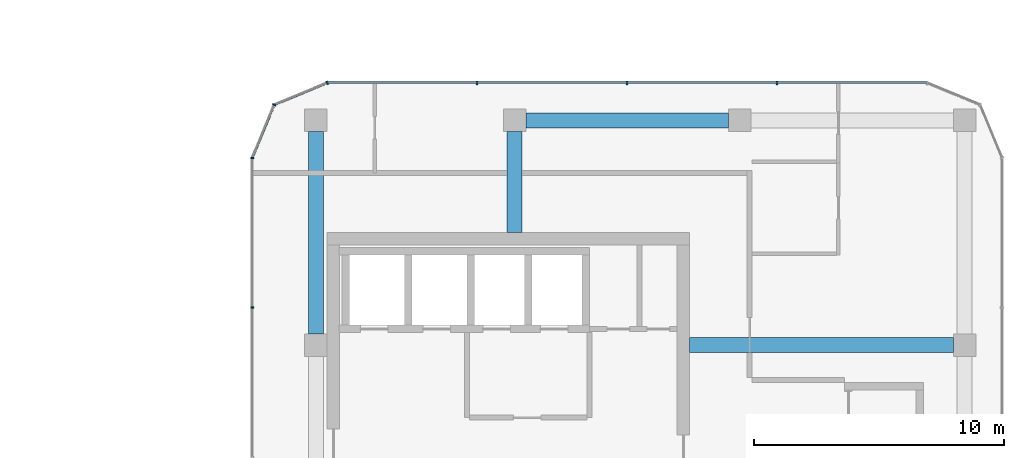
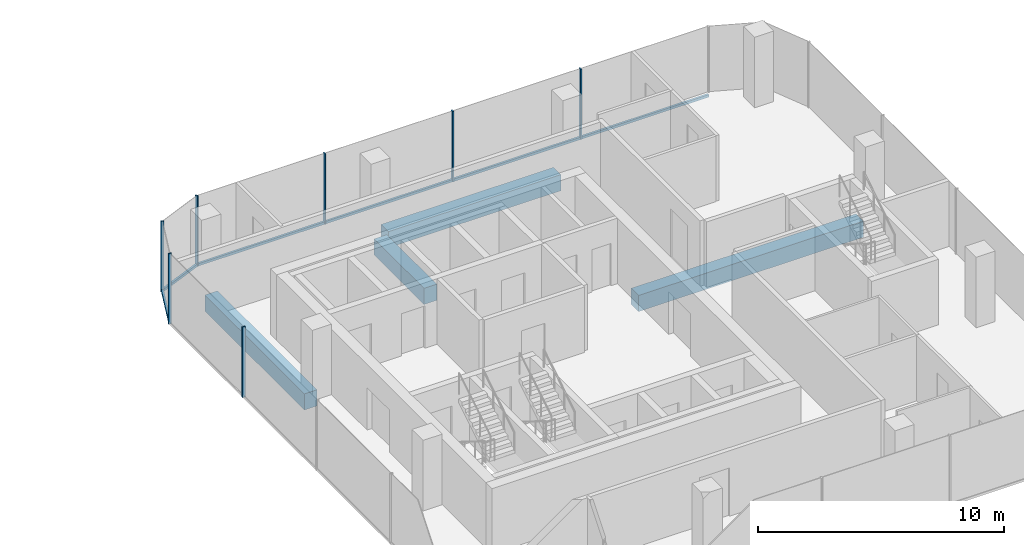
# One storey, part 9 of 22: 10 members, 4 beams, 4 elements without a shape of their own.
"""IFC4 building model written with IfcOpenShell, lengths in metres."""

import ifcopenshell
import ifcopenshell.guid

model = None  # the IFC model being written
_history = None  # IfcOwnerHistory: only IFC2X3 demands one
_inside = {}  # id of a spatial element -> (the spatial element, [elements in it])
_under = {}  # id of a project, library or spatial element -> (it, [spatial elements below it])
_declared = {}  # id of a project -> (the project, [libraries it declares])
_typed = {}  # id of a type object -> (the type object, [elements of that type])
_made_of = {}  # id of a material, layer set ... -> (it, [elements and type objects made of it])


def new_model(schema):
    """Start an empty IFC model of exactly this schema.

    Asked for "IFC4X3", IfcOpenShell would pick the latest addendum, in which some entities
    have other attributes; the version numbers below select the first issue.
    IFC2X3 requires an IfcOwnerHistory on every rooted entity: one is made here for all.
    """
    global model, _history
    if schema == "IFC4X3":
        model = ifcopenshell.file(schema_version=(4, 3, 0, 0))
    else:
        model = ifcopenshell.file(schema=schema)
    _inside.clear()
    _under.clear()
    _declared.clear()
    _typed.clear()
    _made_of.clear()
    _history = None
    if model.schema == "IFC2X3":
        org = make("IfcOrganization", Name="unknown")
        user = make(
            "IfcPersonAndOrganization",
            ThePerson=make("IfcPerson", FamilyName="unknown"),
            TheOrganization=org,
        )
        app = make(
            "IfcApplication",
            ApplicationDeveloper=org,
            Version="unknown",
            ApplicationFullName="unknown",
            ApplicationIdentifier="unknown",
        )
        _history = make(
            "IfcOwnerHistory",
            OwningUser=user,
            OwningApplication=app,
            ChangeAction="ADDED",
            CreationDate=0,
        )
    return model


def make(cls, **values):
    """One entity of the class cls with the attributes given. An attribute that is None is left unset."""
    return model.create_entity(
        cls, **{name: value for name, value in values.items() if value is not None}
    )


def rooted(cls, **values):
    """An entity with a GlobalId (a new one), such as an element, a storey or a relation."""
    return make(cls, GlobalId=ifcopenshell.guid.new(), OwnerHistory=_history, **values)


def si_unit(unit_type, name, prefix=None):
    """IfcSIUnit, for example si_unit("LENGTHUNIT", "METRE", prefix="MILLI")."""
    return make("IfcSIUnit", UnitType=unit_type, Prefix=prefix, Name=name)


def assignment(units):
    """IfcUnitAssignment: the units of a project."""
    return None if units is None else make("IfcUnitAssignment", Units=units)


def point(xyz):
    """IfcCartesianPoint."""
    return None if xyz is None else make("IfcCartesianPoint", Coordinates=xyz)


def direction(xyz):
    """IfcDirection."""
    return None if xyz is None else make("IfcDirection", DirectionRatios=xyz)


def frame(location, z_axis=None, x_axis=None):
    """IfcAxis2Placement3D, a coordinate frame: its origin and axes. An axis left out is left unset."""
    return make(
        "IfcAxis2Placement3D",
        Location=point(location),
        Axis=direction(z_axis),
        RefDirection=direction(x_axis),
    )


def frame_2d(location, x_axis=None):
    """IfcAxis2Placement2D, a coordinate frame in the plane: its origin and x axis."""
    return make(
        "IfcAxis2Placement2D", Location=point(location), RefDirection=direction(x_axis)
    )


def origin():
    """The frame at (0, 0, 0) with its axes left unset."""
    return frame((0.0, 0.0, 0.0))


def origin_2d():
    """The frame at (0, 0) in the plane with its x axis left unset."""
    return frame_2d((0.0, 0.0))


def place(relative_to, where):
    """IfcLocalPlacement: puts the frame where relative to a parent placement (None: the world)."""
    return make(
        "IfcLocalPlacement", PlacementRelTo=relative_to, RelativePlacement=where
    )


def context(
    kind, dimensions, precision=None, world=None, true_north=None, identifier=None
):
    """IfcGeometricRepresentationContext, for example the 3D "Model" context."""
    return make(
        "IfcGeometricRepresentationContext",
        ContextIdentifier=identifier,
        ContextType=kind,
        CoordinateSpaceDimension=dimensions,
        Precision=precision,
        WorldCoordinateSystem=world,
        TrueNorth=true_north,
    )


def subcontext(parent, identifier, kind, view, scale=None):
    """IfcGeometricRepresentationSubContext, for example "Body" below "Model"."""
    return make(
        "IfcGeometricRepresentationSubContext",
        ContextIdentifier=identifier,
        ContextType=kind,
        ParentContext=parent,
        TargetScale=scale,
        TargetView=view,
    )


def project(units=None, contexts=None):
    """IfcProject with its units and contexts."""
    return rooted(
        "IfcProject",
        Name="project",
        RepresentationContexts=contexts,
        UnitsInContext=assignment(units),
    )


def spatial(cls, under=None, at=None, **own):
    """A site, building, storey or space (cls), placed at a placement, below another one or the project."""
    s = rooted(cls, ObjectPlacement=at, **own)
    if under is not None:
        _under.setdefault(under.id(), (under, []))[1].append(s)
    return s


def profile(cls, at=None, kind="AREA", **sizes):
    """A parametric profile (cls). Its sizes go by their IFC names, for example OverallWidth=200.0."""
    return make(cls, ProfileType=kind, Position=at, **sizes)


def rectangle(**sizes):
    """IfcRectangleProfileDef."""
    return profile("IfcRectangleProfileDef", **sizes)


def extrude(swept, where, along, depth):
    """IfcExtrudedAreaSolid: the profile swept, set in the frame where, extruded along a direction by depth."""
    return make(
        "IfcExtrudedAreaSolid",
        SweptArea=swept,
        Position=where,
        ExtrudedDirection=direction(along),
        Depth=depth,
    )


def shape(context_of_items, identifier, shape_type, items):
    """IfcShapeRepresentation: the items that make up one representation, for example the "Body"."""
    return make(
        "IfcShapeRepresentation",
        ContextOfItems=context_of_items,
        RepresentationIdentifier=identifier,
        RepresentationType=shape_type,
        Items=items,
    )


def material(Name=None, Category=None):
    """IfcMaterial."""
    return make("IfcMaterial", Name=Name, Category=Category)


def layer(
    of_material, thickness, ventilated=None, Name=None, Category=None, Priority=None
):
    """IfcMaterialLayer: one layer of a wall or slab, of a material (None: an air gap)."""
    return make(
        "IfcMaterialLayer",
        Material=of_material,
        LayerThickness=thickness,
        IsVentilated=ventilated,
        Name=Name,
        Category=Category,
        Priority=Priority,
    )


def layer_set(layers, Name=None):
    """IfcMaterialLayerSet."""
    return make("IfcMaterialLayerSet", MaterialLayers=layers, LayerSetName=Name)


def material_profile(
    of_material, cross_section, Name=None, Category=None, Priority=None
):
    """IfcMaterialProfile: a cross section and its material."""
    return make(
        "IfcMaterialProfile",
        Name=Name,
        Material=of_material,
        Profile=cross_section,
        Priority=Priority,
        Category=Category,
    )


def profile_set(profiles, Name=None, composite=None):
    """IfcMaterialProfileSet."""
    return make(
        "IfcMaterialProfileSet",
        Name=Name,
        MaterialProfiles=profiles,
        CompositeProfile=composite,
    )


def made_of(thing, what):
    """Note that an element or type object is made of a material, layer set ...; save() writes the relation."""
    if what is not None:
        _made_of.setdefault(what.id(), (what, []))[1].append(thing)
    return thing


def type_object(cls, material=None, **own):
    """A type object (cls), such as IfcWallType, which elements share."""
    return made_of(rooted(cls, **own), material)


def element(
    cls,
    number,
    at=None,
    inside=None,
    cuts=None,
    type_object=None,
    material=None,
    context=None,
    identifier="Body",
    shape_type=None,
    held_by="IfcProductDefinitionShape",
    body=None,
    shapes=None,
    **own,
):
    """One element of the class cls, such as IfcWall. Its Tag is "e" and its number.

    at: its placement. inside: the storey or other place that contains it. cuts: it is an
    opening in that element (IfcRelVoidsElement). A single representation is given by context,
    identifier, shape_type and body (its items); several are given by shapes. held_by: the class
    of the entity that holds the representations. save() writes the other relations.
    """
    e = rooted(cls, Tag="e%d" % number, ObjectPlacement=at, **own)
    if body is not None:
        shapes = [shape(context, identifier, shape_type, body)]
    if shapes is not None:
        e.Representation = make(held_by, Representations=shapes)
    if inside is not None:
        _inside.setdefault(inside.id(), (inside, []))[1].append(e)
    if cuts is not None:
        rooted(
            "IfcRelVoidsElement", RelatingBuildingElement=cuts, RelatedOpeningElement=e
        )
    if type_object is not None:
        _typed.setdefault(type_object.id(), (type_object, []))[1].append(e)
    return made_of(e, material)


def aggregate(whole, parts):
    """IfcRelAggregates: a whole, such as a stair, and the parts it consists of."""
    return rooted("IfcRelAggregates", RelatingObject=whole, RelatedObjects=parts)


def save(model, path):
    """Write the relations noted so far, then the file.

    IfcRelAggregates (storeys below a building ...), IfcRelContainedInSpatialStructure (elements
    in a storey), IfcRelDefinesByType, IfcRelAssociatesMaterial and IfcRelDeclares: one each for
    every whole, place, type object, material and project.
    """
    for whole, parts in _under.values():
        aggregate(whole, parts)
    for where, things in _inside.values():
        rooted(
            "IfcRelContainedInSpatialStructure",
            RelatedElements=things,
            RelatingStructure=where,
        )
    for kind, things in _typed.values():
        rooted("IfcRelDefinesByType", RelatedObjects=things, RelatingType=kind)
    for what, things in _made_of.values():
        rooted("IfcRelAssociatesMaterial", RelatedObjects=things, RelatingMaterial=what)
    for by, libraries in _declared.values():
        rooted("IfcRelDeclares", RelatingContext=by, RelatedDefinitions=libraries)
    model.write(path)


model = new_model("IFC4")

# Units and contexts
model_context = context("Model", 3, precision=1e-05, world=origin(), true_north=direction((0.0, 1.0)))
body_context = subcontext(model_context, "Body", "Model", "MODEL_VIEW")
ifc_project = project(units=[si_unit("LENGTHUNIT", "METRE"), si_unit("AREAUNIT", "SQUARE_METRE"), si_unit("VOLUMEUNIT", "CUBIC_METRE"), si_unit("PLANEANGLEUNIT", "RADIAN"), si_unit("MASSUNIT", "GRAM", prefix="KILO")], contexts=[model_context])

# Site, building, storey
site_placement = place(None, origin())
site = spatial("IfcSite", under=ifc_project, at=site_placement, CompositionType="ELEMENT")
building_placement = place(site_placement, origin())
building = spatial("IfcBuilding", under=site, at=building_placement, Name="Plateau Cross Towers", CompositionType="ELEMENT")
storey_placement = place(building_placement, frame((0.0, 0.0, 58.300048828125)))
storey = spatial("IfcBuildingStorey", under=building, at=storey_placement, Name="L14", CompositionType="ELEMENT", Elevation=58.300048828125)

# Beams
ifc_material_1 = material(Name="Concrete C60/75", Category="concrete")
ifc_material_profile_1 = material_profile(ifc_material_1, rectangle(XDim=0.60009765625, YDim=0.800048828125, at=origin_2d()), Name="RC 600x800")
ifc_profile_set_1 = profile_set([ifc_material_profile_1], Name="Concrete C60/75")
beam_type_1 = type_object("IfcBeamType", Name="Core beam RC 600x800", PredefinedType="BEAM", material=ifc_profile_set_1)
beam_1_placement = place(storey_placement, frame((89.5, 13.5, -0.650146484375), z_axis=(1.0, 0.0, 0.0), x_axis=(0.0, 1.0, 0.0)))
element("IfcBeam", 1, at=beam_1_placement, inside=storey, type_object=beam_type_1, Name="B-CB03@L14", PredefinedType="BEAM", context=body_context, shape_type="SweptSolid", body=[
    extrude(rectangle(XDim=0.60009765625, YDim=0.800048828125, at=origin_2d()), origin(), (0.0, 0.0, 1.0), 10.550048828125),
])
beam_2_placement = place(storey_placement, frame((82.5, 18.0, -0.650146484375), z_axis=(0.0, 1.0, 0.0), x_axis=(-1.0, 0.0, 0.0)))
element("IfcBeam", 2, at=beam_2_placement, inside=storey, type_object=beam_type_1, Name="B-CB04@L14", PredefinedType="BEAM", context=body_context, shape_type="SweptSolid", body=[
    extrude(rectangle(XDim=0.60009765625, YDim=0.800048828125, at=origin_2d()), origin(), (0.0, 0.0, 1.0), 4.050048828125),
])

# Curtain wall, members
ifc_material_2 = material(Name="Dark low-iron glass", Category="glass")
ifc_layer = layer(ifc_material_2, 0.239990234375)
ifc_layer_set = layer_set([ifc_layer], Name="Dark low-iron glass")
curtain_wall_type = type_object("IfcCurtainWallType", Name="Curtain wall office unitised CW-F", PredefinedType="NOTDEFINED", material=ifc_layer_set)
curtain_wall_1_placement = place(storey_placement, origin())
curtain_wall_1 = element("IfcCurtainWall", 3, at=curtain_wall_1_placement, inside=storey, type_object=curtain_wall_type, Name="ENV/B/L14/B990_240", PredefinedType="NOTDEFINED")
ifc_material_3 = material(Name="Black anodised aluminium", Category="aluminium")
ifc_material_profile_2 = material_profile(ifc_material_3, rectangle(XDim=0.06005859375, YDim=0.139892578125, at=origin_2d()), Name="MULLION 60x140")
ifc_profile_set_2 = profile_set([ifc_material_profile_2], Name="Black anodised aluminium")
member_type_1 = type_object("IfcMemberType", Name="Mullion 60x140 office unitised", PredefinedType="MULLION", material=ifc_profile_set_2)
member_1_placement = place(storey_placement, frame((93.0, 24.0, -0.25), z_axis=(0.0, 0.0, 1.0), x_axis=(-1.0, 0.0, 0.0)))
member_1 = element("IfcMember", 4, at=member_1_placement, type_object=member_type_1, Name="CW-F mullion 2", PredefinedType="MULLION", context=body_context, shape_type="SweptSolid", body=[
    extrude(rectangle(XDim=0.06005859375, YDim=0.139892578125, at=origin_2d()), origin(), (0.0, 0.0, 1.0), 3.5),
])
member_2_placement = place(storey_placement, frame((87.0, 24.0, -0.25), z_axis=(0.0, 0.0, 1.0), x_axis=(-1.0, 0.0, 0.0)))
member_2 = element("IfcMember", 5, at=member_2_placement, type_object=member_type_1, Name="CW-F mullion 3", PredefinedType="MULLION", context=body_context, shape_type="SweptSolid", body=[
    extrude(rectangle(XDim=0.06005859375, YDim=0.139892578125, at=origin_2d()), origin(), (0.0, 0.0, 1.0), 3.5),
])
member_3_placement = place(storey_placement, frame((81.0, 24.0, -0.25), z_axis=(0.0, 0.0, 1.0), x_axis=(-1.0, 0.0, 0.0)))
member_3 = element("IfcMember", 6, at=member_3_placement, type_object=member_type_1, Name="CW-F mullion 4", PredefinedType="MULLION", context=body_context, shape_type="SweptSolid", body=[
    extrude(rectangle(XDim=0.06005859375, YDim=0.139892578125, at=origin_2d()), origin(), (0.0, 0.0, 1.0), 3.5),
])

# Curtain wall, member
curtain_wall_2_placement = place(storey_placement, origin())
curtain_wall_2 = element("IfcCurtainWall", 7, at=curtain_wall_2_placement, inside=storey, type_object=curtain_wall_type, Name="ENV/B/L14/B750_240", PredefinedType="NOTDEFINED")
member_4_placement = place(storey_placement, frame((75.0, 24.0, -0.25), z_axis=(0.0, 0.0, 1.0), x_axis=(-0.923879457699, -0.382683612978, 0.0)))
member_4 = element("IfcMember", 8, at=member_4_placement, type_object=member_type_1, Name="CW-F mullion 1", PredefinedType="MULLION", context=body_context, shape_type="SweptSolid", body=[
    extrude(rectangle(XDim=0.06005859375, YDim=0.139892578125, at=origin_2d()), origin(), (0.0, 0.0, 1.0), 3.5),
])

curtain_wall_3_placement = place(storey_placement, origin())
curtain_wall_3 = element("IfcCurtainWall", 9, at=curtain_wall_3_placement, inside=storey, type_object=curtain_wall_type, Name="ENV/B/L14/B729_231", PredefinedType="NOTDEFINED")
member_5_placement = place(storey_placement, frame((72.878662109375, 23.121337890625, -0.25), z_axis=(0.0, 0.0, 1.0), x_axis=(-0.382683612978, -0.923879457699, 0.0)))
member_5 = element("IfcMember", 10, at=member_5_placement, type_object=member_type_1, Name="CW-F mullion 1", PredefinedType="MULLION", context=body_context, shape_type="SweptSolid", body=[
    extrude(rectangle(XDim=0.06005859375, YDim=0.139892578125, at=origin_2d()), origin(), (0.0, 0.0, 1.0), 3.5),
])

# Curtain wall, members
curtain_wall_4_placement = place(storey_placement, origin())
curtain_wall_4 = element("IfcCurtainWall", 11, at=curtain_wall_4_placement, inside=storey, type_object=curtain_wall_type, Name="ENV/B/L14/B720_210", PredefinedType="NOTDEFINED")
member_6_placement = place(storey_placement, frame((72.0, 21.0, -0.25), z_axis=(0.0, 0.0, 1.0), x_axis=(0.0, -1.0, 0.0)))
member_6 = element("IfcMember", 12, at=member_6_placement, type_object=member_type_1, Name="CW-F mullion 1", PredefinedType="MULLION", context=body_context, shape_type="SweptSolid", body=[
    extrude(rectangle(XDim=0.06005859375, YDim=0.139892578125, at=origin_2d()), origin(), (0.0, 0.0, 1.0), 3.5),
])
member_7_placement = place(storey_placement, frame((72.0, 15.0, -0.25), z_axis=(0.0, 0.0, 1.0), x_axis=(0.0, -1.0, 0.0)))
member_7 = element("IfcMember", 13, at=member_7_placement, type_object=member_type_1, Name="CW-F mullion 2", PredefinedType="MULLION", context=body_context, shape_type="SweptSolid", body=[
    extrude(rectangle(XDim=0.06005859375, YDim=0.139892578125, at=origin_2d()), origin(), (0.0, 0.0, 1.0), 3.5),
])
aggregate(curtain_wall_4, [member_6, member_7])

# Beams
ifc_material_profile_3 = material_profile(ifc_material_1, rectangle(XDim=0.60009765625, YDim=0.800048828125, at=origin_2d()), Name="RC 600x800")
ifc_profile_set_3 = profile_set([ifc_material_profile_3], Name="Concrete C60/75")
beam_type_2 = type_object("IfcBeamType", Name="Ring beam RC 600x800", PredefinedType="BEAM", material=ifc_profile_set_3)
for number, where, z_axis, x_axis, name in (
    (14, (91.050048828125, 22.5, -0.650146484375), (-1.0, 0.0, 0.0), (0.0, -1.0, 0.0), "B-RB07@L14"),
    (15, (74.550048828125, 22.050048828125, -0.650146484375), (0.0, -1.0, 0.0), (1.0, 0.0, 0.0), "B-RB08@L14"),
):
    element("IfcBeam", number, at=place(storey_placement, frame(where, z_axis=z_axis, x_axis=x_axis)), inside=storey, type_object=beam_type_2, Name=name, PredefinedType="BEAM", context=body_context, shape_type="SweptSolid", body=[
        extrude(rectangle(XDim=0.60009765625, YDim=0.800048828125, at=origin_2d()), origin(), (0.0, 0.0, 1.0), 8.10009765625),
    ])

# Member
ifc_material_profile_4 = material_profile(ifc_material_3, rectangle(XDim=0.10009765625, YDim=0.1201171875, at=origin_2d()), Name="TRANSOM 100x120")
ifc_profile_set_4 = profile_set([ifc_material_profile_4], Name="Black anodised aluminium")
member_type_2 = type_object("IfcMemberType", Name="Transom 100x120 office unitised", PredefinedType="USERDEFINED", material=ifc_profile_set_4)
member_8_placement = place(storey_placement, frame((99.0, 24.0, -0.18994140625), z_axis=(-1.0, 0.0, 0.0), x_axis=(0.0, -1.0, 0.0)))
member_8 = element("IfcMember", 16, at=member_8_placement, type_object=member_type_2, Name="CW-F transom", ObjectType="TRANSOM", PredefinedType="USERDEFINED", context=body_context, shape_type="SweptSolid", body=[
    extrude(rectangle(XDim=0.10009765625, YDim=0.1201171875, at=origin_2d()), origin(), (0.0, 0.0, 1.0), 24.0),
])

aggregate(curtain_wall_1, [member_1, member_2, member_3, member_8])

member_9_placement = place(storey_placement, frame((75.0, 24.0, -0.18994140625), z_axis=(-0.923883353507, -0.382674207535, 0.0), x_axis=(0.382674207535, -0.923883353507, 0.0)))
member_9 = element("IfcMember", 17, at=member_9_placement, type_object=member_type_2, Name="CW-F transom", ObjectType="TRANSOM", PredefinedType="USERDEFINED", context=body_context, shape_type="SweptSolid", body=[
    extrude(rectangle(XDim=0.10009765625, YDim=0.1201171875, at=origin_2d()), origin(), (0.0, 0.0, 1.0), 2.296142578125),
])

aggregate(curtain_wall_2, [member_4, member_9])

member_10_placement = place(storey_placement, frame((72.878662109375, 23.121337890625, -0.18994140625), z_axis=(-0.382674207535, -0.923883353507, 0.0), x_axis=(0.923883353507, -0.382674207535, 0.0)))
member_10 = element("IfcMember", 18, at=member_10_placement, type_object=member_type_2, Name="CW-F transom", ObjectType="TRANSOM", PredefinedType="USERDEFINED", context=body_context, shape_type="SweptSolid", body=[
    extrude(rectangle(XDim=0.10009765625, YDim=0.1201171875, at=origin_2d()), origin(), (0.0, 0.0, 1.0), 2.296142578125),
])

aggregate(curtain_wall_3, [member_5, member_10])

save(model, "model.ifc")
